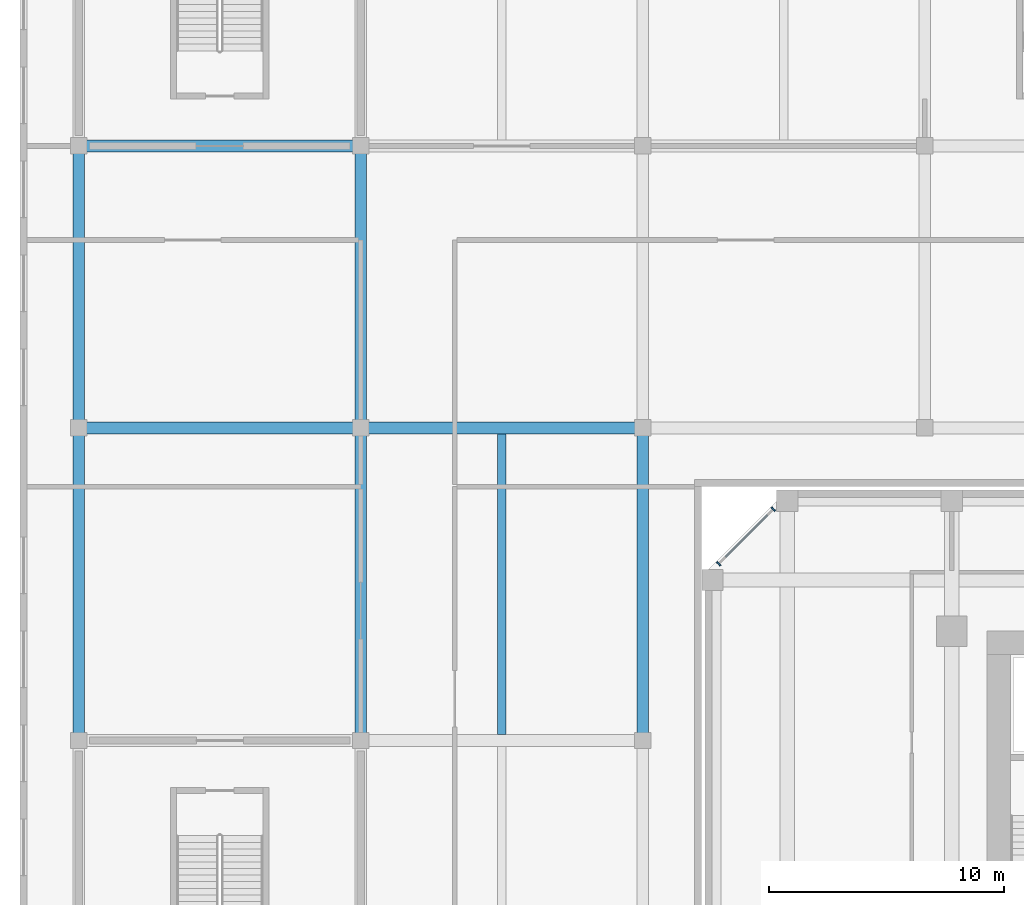
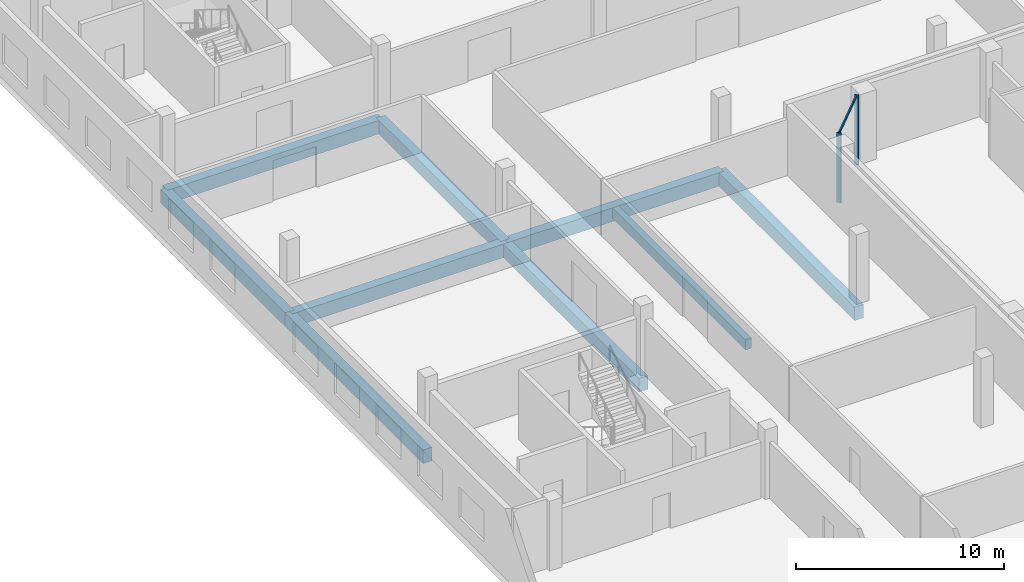
# One storey, part 8 of 36: 9 beams, 3 members, 1 element without a shape of its own.
"""IFC4 building model written with IfcOpenShell, lengths in metres."""

from ifc_helpers import new_model, si_unit, direction, frame, origin, origin_2d, place, context, subcontext, project, spatial, rectangle, extrude, source, transform, mapped, material, material_profile, profile_set, type_object, element, aggregate, save


model = new_model("IFC4")

# Units and contexts
model_context = context("Model", 3, precision=1e-05, world=origin(), true_north=direction((0.0, 1.0)))
body_context = subcontext(model_context, "Body", "Model", "MODEL_VIEW")
ifc_project = project(units=[si_unit("LENGTHUNIT", "METRE"), si_unit("AREAUNIT", "SQUARE_METRE"), si_unit("VOLUMEUNIT", "CUBIC_METRE"), si_unit("PLANEANGLEUNIT", "RADIAN"), si_unit("MASSUNIT", "GRAM", prefix="KILO")], contexts=[model_context])

# Site, building, storey
site_placement = place(None, origin())
site = spatial("IfcSite", under=ifc_project, at=site_placement, CompositionType="ELEMENT")
building_placement = place(site_placement, origin())
building = spatial("IfcBuilding", under=site, at=building_placement, Name="Kilnfold Tower and Market Hall", CompositionType="ELEMENT")
storey_placement = place(building_placement, frame((0.0, 0.0, 18.0)))
storey = spatial("IfcBuildingStorey", under=building, at=storey_placement, Name="L03", CompositionType="ELEMENT", Elevation=18.0)

# Beams
ifc_material_1 = material(Name="Concrete C40/50", Category="concrete")
ifc_material_profile_1 = material_profile(ifc_material_1, rectangle(XDim=0.5, YDim=0.800048828125, at=origin_2d()), Name="RC 500x800")
ifc_profile_set_1 = profile_set([ifc_material_profile_1], Name="Concrete C40/50")
beam_type_1 = type_object("IfcBeamType", Name="HALL GIRDER 500X800", PredefinedType="BEAM", material=ifc_profile_set_1)
beam_1_placement = place(storey_placement, frame((-54.64990234375, 17.35009765625, -0.800048828125), z_axis=(0.0, 1.0, 0.0), x_axis=(-1.0, 0.0, 0.0)))
element("IfcBeam", 1, at=beam_1_placement, inside=storey, type_object=beam_type_1, Name="Beam MG2.11", PredefinedType="BEAM", context=body_context, shape_type="SweptSolid", body=[
    extrude(rectangle(XDim=0.5, YDim=0.800048828125, at=origin_2d()), origin(), (0.0, 0.0, 1.0), 13.2998046875),
])
for number, where, z_axis, x_axis, name in (
    (2, (-54.64990234375, 30.64990234375, -0.800048828125), (0.0, 1.0, 0.0), (-1.0, 0.0, 0.0), "Beam MG2.13"),
    (3, (-54.64990234375, 30.64990234375, -0.800048828125), (1.0, 0.0, 0.0), (0.0, 1.0, 0.0), "Beam MG2.14"),
    (4, (-54.64990234375, 42.64990234375, -0.800048828125), (1.0, 0.0, 0.0), (0.0, 1.0, 0.0), "Beam MG2.16"),
):
    element("IfcBeam", number, at=place(storey_placement, frame(where, z_axis=z_axis, x_axis=x_axis)), inside=storey, type_object=beam_type_1, Name=name, PredefinedType="BEAM", context=body_context, shape_type="SweptSolid", body=[
        extrude(rectangle(XDim=0.5, YDim=0.800048828125, at=origin_2d()), origin(), (0.0, 0.0, 1.0), 12.0),
    ])
beam_2_placement = place(storey_placement, frame((-42.64990234375, 17.35009765625, -0.800048828125), z_axis=(0.0, 1.0, 0.0), x_axis=(-1.0, 0.0, 0.0)))
element("IfcBeam", 5, at=beam_2_placement, inside=storey, type_object=beam_type_1, Name="Beam MG2.26", PredefinedType="BEAM", context=body_context, shape_type="SweptSolid", body=[
    extrude(rectangle(XDim=0.5, YDim=0.800048828125, at=origin_2d()), origin(), (0.0, 0.0, 1.0), 13.2998046875),
])
for number, where, z_axis, x_axis, name in (
    (6, (-42.64990234375, 30.64990234375, -0.800048828125), (0.0, 1.0, 0.0), (-1.0, 0.0, 0.0), "Beam MG2.28"),
    (7, (-42.64990234375, 30.64990234375, -0.800048828125), (1.0, 0.0, 0.0), (0.0, 1.0, 0.0), "Beam MG2.29"),
):
    element("IfcBeam", number, at=place(storey_placement, frame(where, z_axis=z_axis, x_axis=x_axis)), inside=storey, type_object=beam_type_1, Name=name, PredefinedType="BEAM", context=body_context, shape_type="SweptSolid", body=[
        extrude(rectangle(XDim=0.5, YDim=0.800048828125, at=origin_2d()), origin(), (0.0, 0.0, 1.0), 12.0),
    ])
beam_3_placement = place(storey_placement, frame((-30.64990234375, 17.35009765625, -0.800048828125), z_axis=(0.0, 1.0, 0.0), x_axis=(-1.0, 0.0, 0.0)))
element("IfcBeam", 8, at=beam_3_placement, inside=storey, type_object=beam_type_1, Name="Beam MG2.37", PredefinedType="BEAM", context=body_context, shape_type="SweptSolid", body=[
    extrude(rectangle(XDim=0.5, YDim=0.800048828125, at=origin_2d()), origin(), (0.0, 0.0, 1.0), 13.2998046875),
])
ifc_material_2 = material(Name="Concrete C40/50", Category="concrete")
ifc_material_profile_2 = material_profile(ifc_material_2, rectangle(XDim=0.35009765625, YDim=0.60009765625, at=origin_2d()), Name="RC 350x600")
ifc_profile_set_2 = profile_set([ifc_material_profile_2], Name="Concrete C40/50")
beam_type_2 = type_object("IfcBeamType", Name="HALL JOIST 350X600", PredefinedType="BEAM", material=ifc_profile_set_2)
beam_4_placement = place(storey_placement, frame((-36.64990234375, 17.60009765625, -0.699951171875), z_axis=(0.0, 1.0, 0.0), x_axis=(-1.0, 0.0, 0.0)))
element("IfcBeam", 9, at=beam_4_placement, inside=storey, type_object=beam_type_2, Name="Beam MJ1.8", PredefinedType="BEAM", context=body_context, shape_type="SweptSolid", body=[
    extrude(rectangle(XDim=0.35009765625, YDim=0.60009765625, at=origin_2d()), origin(), (0.0, 0.0, 1.0), 12.7998046875),
])

# Curtain wall, members
ifc_material_3 = material(Name="Aluminium and double glazing", Category="aluminium")
curtain_wall_type = type_object("IfcCurtainWallType", Name="CW BASE PODIUM GLAZING", PredefinedType="NOTDEFINED", material=ifc_material_3)
curtain_wall_placement = place(storey_placement, origin())
curtain_wall = element("IfcCurtainWall", 10, at=curtain_wall_placement, inside=storey, type_object=curtain_wall_type, Name="Curtain wall CW4 L03 NW", PredefinedType="NOTDEFINED")
ifc_material_4 = material(Name="Aluminium", Category="aluminium")
ifc_material_profile_3 = material_profile(ifc_material_4, rectangle(XDim=0.070068359375, YDim=0.219970703125, at=origin_2d()), Name="MULLION 70x220")
ifc_profile_set_3 = profile_set([ifc_material_profile_3], Name="Aluminium")
member_type_1 = type_object("IfcMemberType", Name="MULLION 70X220", PredefinedType="MULLION", material=ifc_profile_set_3)
shared_shape_1 = source(origin(), body_context, "Body", "SweptSolid", [
    extrude(rectangle(XDim=0.070068359375, YDim=0.219970703125, at=origin_2d()), origin(), (0.0, 0.0, 1.0), 4.10009765625),
])
member_1_placement = place(storey_placement, frame((-25.09375, 27.194091796875, 0.0), z_axis=(0.0, 0.0, 1.0), x_axis=(-0.707121667181, -0.707091894879, 0.0)))
member_1 = element("IfcMember", 11, at=member_1_placement, type_object=member_type_1, Name="CW4 mullion 1", PredefinedType="MULLION", context=body_context, shape_type="MappedRepresentation", body=[
    mapped(shared_shape_1, transform((0.0, 0.0, 0.0))),
])
member_2_placement = place(storey_placement, frame((-27.419189453125, 24.86865234375, 0.0), z_axis=(0.0, 0.0, 1.0), x_axis=(-0.707121667181, -0.707091894879, 0.0)))
member_2 = element("IfcMember", 12, at=member_2_placement, type_object=member_type_1, Name="CW4 mullion 2", PredefinedType="MULLION", context=body_context, shape_type="MappedRepresentation", body=[
    mapped(shared_shape_1, transform((0.0, 0.0, 0.0))),
])
ifc_material_5 = material(Name="Aluminium", Category="aluminium")
ifc_material_profile_4 = material_profile(ifc_material_5, rectangle(XDim=0.070068359375, YDim=0.159912109375, at=origin_2d()), Name="TRANSOM 70x160")
ifc_profile_set_4 = profile_set([ifc_material_profile_4], Name="Aluminium")
member_type_2 = type_object("IfcMemberType", Name="TRANSOM 70X160", PredefinedType="USERDEFINED", material=ifc_profile_set_4)
shared_shape_2 = source(origin(), body_context, "Body", "SweptSolid", [
    extrude(rectangle(XDim=0.070068359375, YDim=0.159912109375, at=origin_2d()), origin(), (0.0, 0.0, 1.0), 3.218994140625),
])
member_3_placement = place(storey_placement, frame((-25.118408203125, 27.16943359375, 4.06494140625), z_axis=(-0.707106781187, -0.707106781187, 0.0), x_axis=(0.707106781187, -0.707106781187, 0.0)))
member_3 = element("IfcMember", 13, at=member_3_placement, type_object=member_type_2, Name="CW4 transom 1.2", ObjectType="TRANSOM", PredefinedType="USERDEFINED", context=body_context, shape_type="MappedRepresentation", body=[
    mapped(shared_shape_2, transform((0.0, 0.0, 0.0))),
])
aggregate(curtain_wall, [member_1, member_2, member_3])

save(model, "model.ifc")
